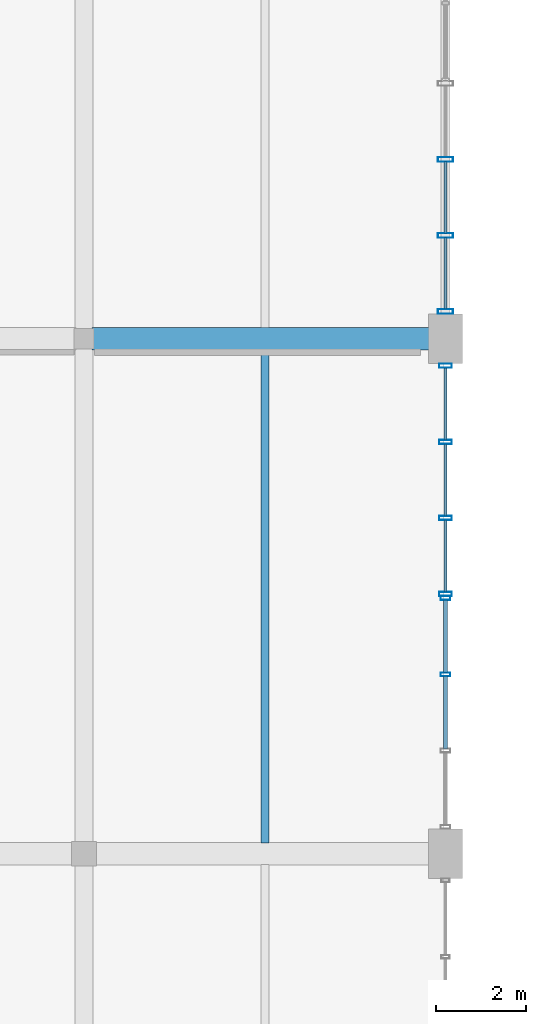
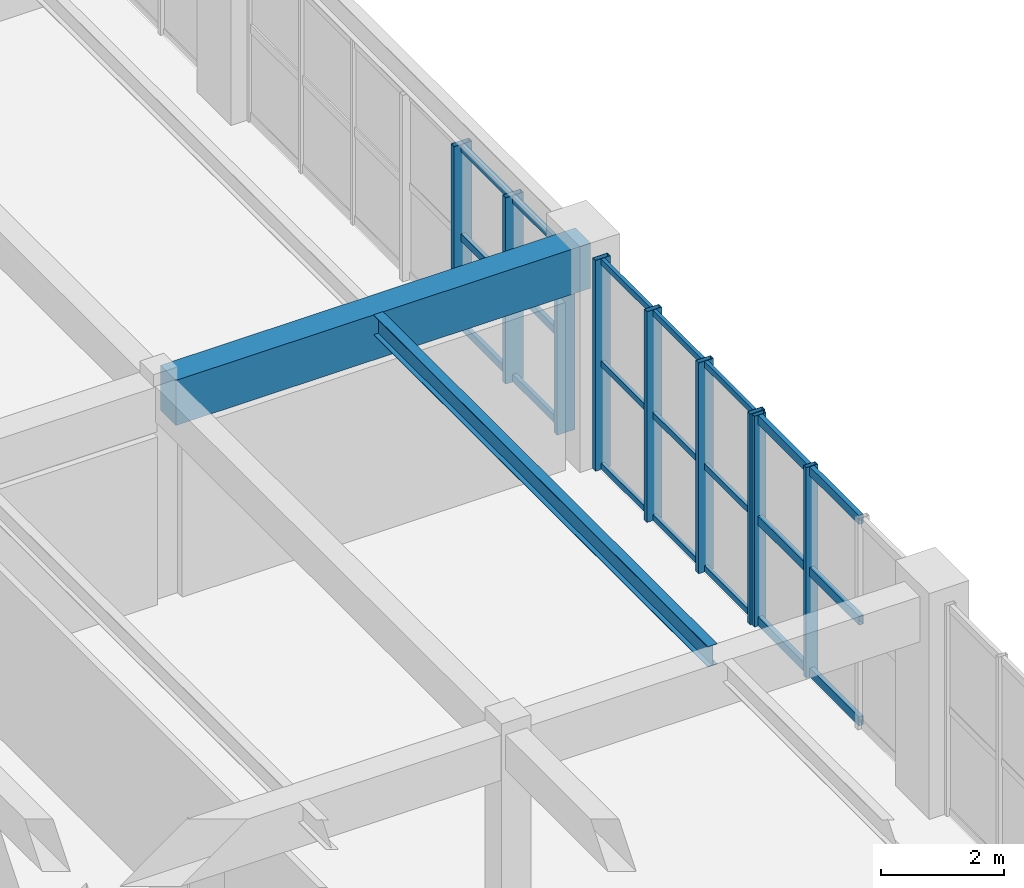
# One storey, part 7 of 48: 30 members, 2 beams, 3 elements without a shape of their own.
"""IFC4 building model written with IfcOpenShell, lengths in metres."""

from ifc_helpers import new_model, si_unit, direction, frame, origin, origin_2d, place, context, subcontext, project, spatial, rectangle, hollow_rectangle, i_section, extrude, material, layer, layer_set, material_profile, profile_set, type_object, element, aggregate, save


model = new_model("IFC4")

# Units and contexts
model_context = context("Model", 3, precision=1e-05, world=origin(), true_north=direction((0.0, 1.0)))
body_context = subcontext(model_context, "Body", "Model", "MODEL_VIEW")
ifc_project = project(units=[si_unit("LENGTHUNIT", "METRE"), si_unit("AREAUNIT", "SQUARE_METRE"), si_unit("VOLUMEUNIT", "CUBIC_METRE"), si_unit("PLANEANGLEUNIT", "RADIAN"), si_unit("MASSUNIT", "GRAM", prefix="KILO"), si_unit("POWERUNIT", "WATT"), si_unit("THERMODYNAMICTEMPERATUREUNIT", "KELVIN")], contexts=[model_context])

# Site, building, storey
site_placement = place(None, origin())
site = spatial("IfcSite", under=ifc_project, at=site_placement, CompositionType="ELEMENT")
building_placement = place(site_placement, origin())
building = spatial("IfcBuilding", under=site, at=building_placement, Name="Kelmbourne Parkland Aquatics Centre", CompositionType="ELEMENT")
storey_placement = place(building_placement, frame((0.0, 0.0, 14.699951171875)))
storey = spatial("IfcBuildingStorey", under=building, at=storey_placement, Name="L03", CompositionType="ELEMENT", Elevation=14.699951171875)

# Beams
ifc_material_1 = material(Name="Concrete C40/50", Category="concrete")
ifc_material_profile_1 = material_profile(ifc_material_1, rectangle(XDim=0.5, YDim=0.89990234375, at=origin_2d()), Name="RC 500x900")
ifc_profile_set_1 = profile_set([ifc_material_profile_1], Name="Concrete C40/50")
beam_type_1 = type_object("IfcBeamType", Name="BM-G03", PredefinedType="BEAM", material=ifc_profile_set_1)
beam_1_placement = place(storey_placement, frame((32.179931640625, 23.60009765625, 3.81005859375), z_axis=(1.0, 0.0, 0.0), x_axis=(0.0, 1.0, 0.0)))
element("IfcBeam", 1, at=beam_1_placement, inside=storey, type_object=beam_type_1, Name="Primary girder E-F Grid 04 (L04)", PredefinedType="BEAM", context=body_context, shape_type="SweptSolid", body=[
    extrude(rectangle(XDim=0.5, YDim=0.89990234375, at=origin_2d()), origin(), (0.0, 0.0, 1.0), 7.820068359375),
])
ifc_material_2 = material(Name="Structural steel AS/NZS 3679.1 Grade 300", Category="steel")
ifc_material_profile_2 = material_profile(ifc_material_2, i_section(OverallWidth=0.177978515625, OverallDepth=0.406005859375, WebThickness=0.0078125, FlangeThickness=0.0126953125, at=origin_2d()), Name="410UB59.7")
ifc_profile_set_2 = profile_set([ifc_material_profile_2], Name="Structural steel AS/NZS 3679.1 Grade 300")
beam_type_2 = type_object("IfcBeamType", Name="BM-J01", PredefinedType="JOIST", material=ifc_profile_set_2)
beam_2_placement = place(storey_placement, frame((36.0, 12.44189453125, 4.05712890625), z_axis=(0.0, 1.0, 0.0), x_axis=(-1.0, 0.0, 0.0)))
element("IfcBeam", 2, at=beam_2_placement, inside=storey, type_object=beam_type_2, Name="Secondary floor joist E-F/03-04 #1 (L04)", PredefinedType="JOIST", context=body_context, shape_type="SweptSolid", body=[
    extrude(i_section(OverallWidth=0.177978515625, OverallDepth=0.406005859375, WebThickness=0.0078125, FlangeThickness=0.0126953125, at=origin_2d()), origin(), (0.0, 0.0, 1.0), 10.916015625),
])

# Curtain wall, members
ifc_material_3 = material(Name="Thermally broken anodised aluminium framing", Category="aluminium")
ifc_layer_1 = layer(ifc_material_3, 0.179931640625)
ifc_layer_set_1 = layer_set([ifc_layer_1], Name="Thermally broken anodised aluminium framing")
curtain_wall_type_1 = type_object("IfcCurtainWallType", Name="CW-17", PredefinedType="NOTDEFINED", material=ifc_layer_set_1)
curtain_wall_1_placement = place(storey_placement, origin())
curtain_wall_1 = element("IfcCurtainWall", 3, at=curtain_wall_1_placement, inside=storey, type_object=curtain_wall_type_1, Name="Facade curtain wall CW-L03-257", PredefinedType="NOTDEFINED")
ifc_material_profile_3 = material_profile(ifc_material_3, hollow_rectangle(XDim=0.0849609375, YDim=0.219970703125, WallThickness=0.0048828125, at=origin_2d()), Name="CW-M 85x220")
ifc_profile_set_3 = profile_set([ifc_material_profile_3], Name="Thermally broken anodised aluminium framing")
member_type_1 = type_object("IfcMemberType", Name="MB-MUL-3", PredefinedType="MULLION", material=ifc_profile_set_3)
member_1_placement = place(storey_placement, frame((40.0, 16.169921875, 0.0), z_axis=(0.0, 0.0, 1.0), x_axis=(0.0, 1.0, 0.0)))
member_1 = element("IfcMember", 4, at=member_1_placement, type_object=member_type_1, Name="CW-L03-257 mullion 2", PredefinedType="MULLION", context=body_context, shape_type="SweptSolid", body=[
    extrude(hollow_rectangle(XDim=0.0849609375, YDim=0.219970703125, WallThickness=0.0048828125, at=origin_2d()), origin(), (0.0, 0.0, 1.0), 4.199951171875),
])
member_2_placement = place(storey_placement, frame((40.0, 17.857421875, 0.0), z_axis=(0.0, 0.0, 1.0), x_axis=(0.0, 1.0, 0.0)))
member_2 = element("IfcMember", 5, at=member_2_placement, type_object=member_type_1, Name="CW-L03-257 mullion 3", PredefinedType="MULLION", context=body_context, shape_type="SweptSolid", body=[
    extrude(hollow_rectangle(XDim=0.0849609375, YDim=0.219970703125, WallThickness=0.0048828125, at=origin_2d()), origin(), (0.0, 0.0, 1.0), 4.199951171875),
])

ifc_layer_2 = layer(ifc_material_3, 0.179931640625)
ifc_layer_set_2 = layer_set([ifc_layer_2], Name="Thermally broken anodised aluminium framing")
curtain_wall_type_2 = type_object("IfcCurtainWallType", Name="CW-18", PredefinedType="NOTDEFINED", material=ifc_layer_set_2)
curtain_wall_2_placement = place(storey_placement, origin())
curtain_wall_2 = element("IfcCurtainWall", 6, at=curtain_wall_2_placement, inside=storey, type_object=curtain_wall_type_2, Name="Facade curtain wall CW-L03-258", PredefinedType="NOTDEFINED")
ifc_material_profile_4 = material_profile(ifc_material_3, hollow_rectangle(XDim=0.094970703125, YDim=0.280029296875, WallThickness=0.005615234375, at=origin_2d()), Name="CW-M 95x280")
ifc_profile_set_4 = profile_set([ifc_material_profile_4], Name="Thermally broken anodised aluminium framing")
member_type_2 = type_object("IfcMemberType", Name="MB-MUL-4", PredefinedType="MULLION", material=ifc_profile_set_4)
member_3_placement = place(storey_placement, frame((40.0, 17.947509765625, 0.0), z_axis=(0.0, 0.0, 1.0), x_axis=(0.0, 1.0, 0.0)))
member_3 = element("IfcMember", 7, at=member_3_placement, type_object=member_type_2, Name="CW-L03-258 mullion 0", PredefinedType="MULLION", context=body_context, shape_type="SweptSolid", body=[
    extrude(hollow_rectangle(XDim=0.094970703125, YDim=0.280029296875, WallThickness=0.005615234375, at=origin_2d()), origin(), (0.0, 0.0, 1.0), 4.199951171875),
])
member_4_placement = place(storey_placement, frame((40.0, 19.6318359375, 0.0), z_axis=(0.0, 0.0, 1.0), x_axis=(0.0, 1.0, 0.0)))
member_4 = element("IfcMember", 8, at=member_4_placement, type_object=member_type_2, Name="CW-L03-258 mullion 1", PredefinedType="MULLION", context=body_context, shape_type="SweptSolid", body=[
    extrude(hollow_rectangle(XDim=0.094970703125, YDim=0.280029296875, WallThickness=0.005615234375, at=origin_2d()), origin(), (0.0, 0.0, 1.0), 4.199951171875),
])
member_5_placement = place(storey_placement, frame((40.0, 21.316162109375, 0.0), z_axis=(0.0, 0.0, 1.0), x_axis=(0.0, 1.0, 0.0)))
member_5 = element("IfcMember", 9, at=member_5_placement, type_object=member_type_2, Name="CW-L03-258 mullion 2", PredefinedType="MULLION", context=body_context, shape_type="SweptSolid", body=[
    extrude(hollow_rectangle(XDim=0.094970703125, YDim=0.280029296875, WallThickness=0.005615234375, at=origin_2d()), origin(), (0.0, 0.0, 1.0), 4.199951171875),
])
member_6_placement = place(storey_placement, frame((40.0, 23.00048828125, 0.0), z_axis=(0.0, 0.0, 1.0), x_axis=(0.0, 1.0, 0.0)))
member_6 = element("IfcMember", 10, at=member_6_placement, type_object=member_type_2, Name="CW-L03-258 mullion 3", PredefinedType="MULLION", context=body_context, shape_type="SweptSolid", body=[
    extrude(hollow_rectangle(XDim=0.094970703125, YDim=0.280029296875, WallThickness=0.005615234375, at=origin_2d()), origin(), (0.0, 0.0, 1.0), 4.199951171875),
])

ifc_layer_3 = layer(ifc_material_3, 0.179931640625)
ifc_layer_set_3 = layer_set([ifc_layer_3], Name="Thermally broken anodised aluminium framing")
curtain_wall_type_3 = type_object("IfcCurtainWallType", Name="CW-19", PredefinedType="NOTDEFINED", material=ifc_layer_set_3)
curtain_wall_3_placement = place(storey_placement, origin())
curtain_wall_3 = element("IfcCurtainWall", 11, at=curtain_wall_3_placement, inside=storey, type_object=curtain_wall_type_3, Name="Facade curtain wall CW-L03-259", PredefinedType="NOTDEFINED")
ifc_material_profile_5 = material_profile(ifc_material_3, hollow_rectangle(XDim=0.10498046875, YDim=0.340087890625, WallThickness=0.006103515625, at=origin_2d()), Name="CW-M 105x340")
ifc_profile_set_5 = profile_set([ifc_material_profile_5], Name="Thermally broken anodised aluminium framing")
member_type_3 = type_object("IfcMemberType", Name="MB-MUL-5", PredefinedType="MULLION", material=ifc_profile_set_5)
member_7_placement = place(storey_placement, frame((40.0, 24.20458984375, 0.0), z_axis=(0.0, 0.0, 1.0), x_axis=(0.0, 1.0, 0.0)))
member_7 = element("IfcMember", 12, at=member_7_placement, type_object=member_type_3, Name="CW-L03-259 mullion 0", PredefinedType="MULLION", context=body_context, shape_type="SweptSolid", body=[
    extrude(hollow_rectangle(XDim=0.10498046875, YDim=0.340087890625, WallThickness=0.006103515625, at=origin_2d()), origin(), (0.0, 0.0, 1.0), 3.712158203125),
])
member_8_placement = place(storey_placement, frame((40.0, 25.885498046875, 0.0), z_axis=(0.0, 0.0, 1.0), x_axis=(0.0, 1.0, 0.0)))
member_8 = element("IfcMember", 13, at=member_8_placement, type_object=member_type_3, Name="CW-L03-259 mullion 1", PredefinedType="MULLION", context=body_context, shape_type="SweptSolid", body=[
    extrude(hollow_rectangle(XDim=0.10498046875, YDim=0.340087890625, WallThickness=0.006103515625, at=origin_2d()), origin(), (0.0, 0.0, 1.0), 3.712158203125),
])
member_9_placement = place(storey_placement, frame((40.0, 27.56640625, 0.0), z_axis=(0.0, 0.0, 1.0), x_axis=(0.0, 1.0, 0.0)))
member_9 = element("IfcMember", 14, at=member_9_placement, type_object=member_type_3, Name="CW-L03-259 mullion 2", PredefinedType="MULLION", context=body_context, shape_type="SweptSolid", body=[
    extrude(hollow_rectangle(XDim=0.10498046875, YDim=0.340087890625, WallThickness=0.006103515625, at=origin_2d()), origin(), (0.0, 0.0, 1.0), 3.712158203125),
])

# Member
ifc_material_profile_6 = material_profile(ifc_material_3, hollow_rectangle(XDim=0.06494140625, YDim=0.1201171875, WallThickness=0.00341796875, at=origin_2d()), Name="CW-T 65x120")
ifc_profile_set_6 = profile_set([ifc_material_profile_6], Name="Thermally broken anodised aluminium framing")
member_type_4 = type_object("IfcMemberType", Name="MB-TRN-1", PredefinedType="USERDEFINED", material=ifc_profile_set_6)
member_10_placement = place(storey_placement, frame((40.0, 17.990966796875, 0.06298828125), z_axis=(0.0, 1.0, 0.0), x_axis=(-1.0, 0.0, 0.0)))
member_10 = element("IfcMember", 15, at=member_10_placement, type_object=member_type_4, Name="CW-L03-258 transom 0-0", ObjectType="TRANSOM", PredefinedType="USERDEFINED", context=body_context, shape_type="SweptSolid", body=[
    extrude(hollow_rectangle(XDim=0.06494140625, YDim=0.1201171875, WallThickness=0.00341796875, at=origin_2d()), origin(), (0.0, 0.0, 1.0), 1.597412109375),
])

member_11_placement = place(storey_placement, frame((40.0, 19.67529296875, 0.06298828125), z_axis=(0.0, 1.0, 0.0), x_axis=(-1.0, 0.0, 0.0)))
member_11 = element("IfcMember", 16, at=member_11_placement, type_object=member_type_4, Name="CW-L03-258 transom 0-1", ObjectType="TRANSOM", PredefinedType="USERDEFINED", context=body_context, shape_type="SweptSolid", body=[
    extrude(hollow_rectangle(XDim=0.06494140625, YDim=0.1201171875, WallThickness=0.00341796875, at=origin_2d()), origin(), (0.0, 0.0, 1.0), 1.597412109375),
])

member_12_placement = place(storey_placement, frame((40.0, 21.359619140625, 0.06298828125), z_axis=(0.0, 1.0, 0.0), x_axis=(-1.0, 0.0, 0.0)))
member_12 = element("IfcMember", 17, at=member_12_placement, type_object=member_type_4, Name="CW-L03-258 transom 0-2", ObjectType="TRANSOM", PredefinedType="USERDEFINED", context=body_context, shape_type="SweptSolid", body=[
    extrude(hollow_rectangle(XDim=0.06494140625, YDim=0.1201171875, WallThickness=0.00341796875, at=origin_2d()), origin(), (0.0, 0.0, 1.0), 1.597412109375),
])

member_13_placement = place(storey_placement, frame((40.0, 17.990966796875, 2.10009765625), z_axis=(0.0, 1.0, 0.0), x_axis=(-1.0, 0.0, 0.0)))
member_13 = element("IfcMember", 18, at=member_13_placement, type_object=member_type_4, Name="CW-L03-258 transom 1-0", ObjectType="TRANSOM", PredefinedType="USERDEFINED", context=body_context, shape_type="SweptSolid", body=[
    extrude(hollow_rectangle(XDim=0.06494140625, YDim=0.1201171875, WallThickness=0.00341796875, at=origin_2d()), origin(), (0.0, 0.0, 1.0), 1.597412109375),
])

member_14_placement = place(storey_placement, frame((40.0, 19.67529296875, 2.10009765625), z_axis=(0.0, 1.0, 0.0), x_axis=(-1.0, 0.0, 0.0)))
member_14 = element("IfcMember", 19, at=member_14_placement, type_object=member_type_4, Name="CW-L03-258 transom 1-1", ObjectType="TRANSOM", PredefinedType="USERDEFINED", context=body_context, shape_type="SweptSolid", body=[
    extrude(hollow_rectangle(XDim=0.06494140625, YDim=0.1201171875, WallThickness=0.00341796875, at=origin_2d()), origin(), (0.0, 0.0, 1.0), 1.597412109375),
])

member_15_placement = place(storey_placement, frame((40.0, 21.359619140625, 2.10009765625), z_axis=(0.0, 1.0, 0.0), x_axis=(-1.0, 0.0, 0.0)))
member_15 = element("IfcMember", 20, at=member_15_placement, type_object=member_type_4, Name="CW-L03-258 transom 1-2", ObjectType="TRANSOM", PredefinedType="USERDEFINED", context=body_context, shape_type="SweptSolid", body=[
    extrude(hollow_rectangle(XDim=0.06494140625, YDim=0.1201171875, WallThickness=0.00341796875, at=origin_2d()), origin(), (0.0, 0.0, 1.0), 1.597412109375),
])

member_16_placement = place(storey_placement, frame((40.0, 17.990966796875, 4.136962890625), z_axis=(0.0, 1.0, 0.0), x_axis=(-1.0, 0.0, 0.0)))
member_16 = element("IfcMember", 21, at=member_16_placement, type_object=member_type_4, Name="CW-L03-258 transom 2-0", ObjectType="TRANSOM", PredefinedType="USERDEFINED", context=body_context, shape_type="SweptSolid", body=[
    extrude(hollow_rectangle(XDim=0.06494140625, YDim=0.1201171875, WallThickness=0.00341796875, at=origin_2d()), origin(), (0.0, 0.0, 1.0), 1.597412109375),
])

member_17_placement = place(storey_placement, frame((40.0, 19.67529296875, 4.136962890625), z_axis=(0.0, 1.0, 0.0), x_axis=(-1.0, 0.0, 0.0)))
member_17 = element("IfcMember", 22, at=member_17_placement, type_object=member_type_4, Name="CW-L03-258 transom 2-1", ObjectType="TRANSOM", PredefinedType="USERDEFINED", context=body_context, shape_type="SweptSolid", body=[
    extrude(hollow_rectangle(XDim=0.06494140625, YDim=0.1201171875, WallThickness=0.00341796875, at=origin_2d()), origin(), (0.0, 0.0, 1.0), 1.597412109375),
])

member_18_placement = place(storey_placement, frame((40.0, 21.359619140625, 4.136962890625), z_axis=(0.0, 1.0, 0.0), x_axis=(-1.0, 0.0, 0.0)))
member_18 = element("IfcMember", 23, at=member_18_placement, type_object=member_type_4, Name="CW-L03-258 transom 2-2", ObjectType="TRANSOM", PredefinedType="USERDEFINED", context=body_context, shape_type="SweptSolid", body=[
    extrude(hollow_rectangle(XDim=0.06494140625, YDim=0.1201171875, WallThickness=0.00341796875, at=origin_2d()), origin(), (0.0, 0.0, 1.0), 1.597412109375),
])

aggregate(curtain_wall_2, [member_3, member_4, member_5, member_6, member_10, member_11, member_12, member_13, member_14, member_15, member_16, member_17, member_18])

ifc_material_profile_7 = material_profile(ifc_material_3, hollow_rectangle(XDim=0.074951171875, YDim=0.14990234375, WallThickness=0.00390625, at=origin_2d()), Name="CW-T 75x150")
ifc_profile_set_7 = profile_set([ifc_material_profile_7], Name="Thermally broken anodised aluminium framing")
member_type_5 = type_object("IfcMemberType", Name="MB-TRN-2", PredefinedType="USERDEFINED", material=ifc_profile_set_7)
member_19_placement = place(storey_placement, frame((40.0, 24.2529296875, 0.078125), z_axis=(0.0, 1.0, 0.0), x_axis=(-1.0, 0.0, 0.0)))
member_19 = element("IfcMember", 24, at=member_19_placement, type_object=member_type_5, Name="CW-L03-259 transom 0-0", ObjectType="TRANSOM", PredefinedType="USERDEFINED", context=body_context, shape_type="SweptSolid", body=[
    extrude(hollow_rectangle(XDim=0.074951171875, YDim=0.14990234375, WallThickness=0.00390625, at=origin_2d()), origin(), (0.0, 0.0, 1.0), 1.583984375),
])

member_20_placement = place(storey_placement, frame((40.0, 25.93408203125, 0.078125), z_axis=(0.0, 1.0, 0.0), x_axis=(-1.0, 0.0, 0.0)))
member_20 = element("IfcMember", 25, at=member_20_placement, type_object=member_type_5, Name="CW-L03-259 transom 0-1", ObjectType="TRANSOM", PredefinedType="USERDEFINED", context=body_context, shape_type="SweptSolid", body=[
    extrude(hollow_rectangle(XDim=0.074951171875, YDim=0.14990234375, WallThickness=0.00390625, at=origin_2d()), origin(), (0.0, 0.0, 1.0), 1.583984375),
])

member_21_placement = place(storey_placement, frame((40.0, 24.2529296875, 1.85595703125), z_axis=(0.0, 1.0, 0.0), x_axis=(-1.0, 0.0, 0.0)))
member_21 = element("IfcMember", 26, at=member_21_placement, type_object=member_type_5, Name="CW-L03-259 transom 1-0", ObjectType="TRANSOM", PredefinedType="USERDEFINED", context=body_context, shape_type="SweptSolid", body=[
    extrude(hollow_rectangle(XDim=0.074951171875, YDim=0.14990234375, WallThickness=0.00390625, at=origin_2d()), origin(), (0.0, 0.0, 1.0), 1.583984375),
])

member_22_placement = place(storey_placement, frame((40.0, 25.93408203125, 1.85595703125), z_axis=(0.0, 1.0, 0.0), x_axis=(-1.0, 0.0, 0.0)))
member_22 = element("IfcMember", 27, at=member_22_placement, type_object=member_type_5, Name="CW-L03-259 transom 1-1", ObjectType="TRANSOM", PredefinedType="USERDEFINED", context=body_context, shape_type="SweptSolid", body=[
    extrude(hollow_rectangle(XDim=0.074951171875, YDim=0.14990234375, WallThickness=0.00390625, at=origin_2d()), origin(), (0.0, 0.0, 1.0), 1.583984375),
])

member_23_placement = place(storey_placement, frame((40.0, 24.2529296875, 3.634033203125), z_axis=(0.0, 1.0, 0.0), x_axis=(-1.0, 0.0, 0.0)))
member_23 = element("IfcMember", 28, at=member_23_placement, type_object=member_type_5, Name="CW-L03-259 transom 2-0", ObjectType="TRANSOM", PredefinedType="USERDEFINED", context=body_context, shape_type="SweptSolid", body=[
    extrude(hollow_rectangle(XDim=0.074951171875, YDim=0.14990234375, WallThickness=0.00390625, at=origin_2d()), origin(), (0.0, 0.0, 1.0), 1.583984375),
])

member_24_placement = place(storey_placement, frame((40.0, 25.93408203125, 3.634033203125), z_axis=(0.0, 1.0, 0.0), x_axis=(-1.0, 0.0, 0.0)))
member_24 = element("IfcMember", 29, at=member_24_placement, type_object=member_type_5, Name="CW-L03-259 transom 2-1", ObjectType="TRANSOM", PredefinedType="USERDEFINED", context=body_context, shape_type="SweptSolid", body=[
    extrude(hollow_rectangle(XDim=0.074951171875, YDim=0.14990234375, WallThickness=0.00390625, at=origin_2d()), origin(), (0.0, 0.0, 1.0), 1.583984375),
])

aggregate(curtain_wall_3, [member_7, member_8, member_9, member_19, member_20, member_21, member_22, member_23, member_24])

ifc_material_profile_8 = material_profile(ifc_material_3, hollow_rectangle(XDim=0.0849609375, YDim=0.179931640625, WallThickness=0.00439453125, at=origin_2d()), Name="CW-T 85x180")
ifc_profile_set_8 = profile_set([ifc_material_profile_8], Name="Thermally broken anodised aluminium framing")
member_type_6 = type_object("IfcMemberType", Name="MB-TRN-3", PredefinedType="USERDEFINED", material=ifc_profile_set_8)
member_25_placement = place(storey_placement, frame((40.0, 14.520751953125, 0.093017578125), z_axis=(0.0, 1.0, 0.0), x_axis=(-1.0, 0.0, 0.0)))
member_25 = element("IfcMember", 30, at=member_25_placement, type_object=member_type_6, Name="CW-L03-257 transom 0-1", ObjectType="TRANSOM", PredefinedType="USERDEFINED", context=body_context, shape_type="SweptSolid", body=[
    extrude(hollow_rectangle(XDim=0.0849609375, YDim=0.179931640625, WallThickness=0.00439453125, at=origin_2d()), origin(), (0.0, 0.0, 1.0), 1.610595703125),
])

member_26_placement = place(storey_placement, frame((40.0, 16.208251953125, 0.093017578125), z_axis=(0.0, 1.0, 0.0), x_axis=(-1.0, 0.0, 0.0)))
member_26 = element("IfcMember", 31, at=member_26_placement, type_object=member_type_6, Name="CW-L03-257 transom 0-2", ObjectType="TRANSOM", PredefinedType="USERDEFINED", context=body_context, shape_type="SweptSolid", body=[
    extrude(hollow_rectangle(XDim=0.0849609375, YDim=0.179931640625, WallThickness=0.00439453125, at=origin_2d()), origin(), (0.0, 0.0, 1.0), 1.61083984375),
])

member_27_placement = place(storey_placement, frame((40.0, 14.520751953125, 2.10009765625), z_axis=(0.0, 1.0, 0.0), x_axis=(-1.0, 0.0, 0.0)))
member_27 = element("IfcMember", 32, at=member_27_placement, type_object=member_type_6, Name="CW-L03-257 transom 1-1", ObjectType="TRANSOM", PredefinedType="USERDEFINED", context=body_context, shape_type="SweptSolid", body=[
    extrude(hollow_rectangle(XDim=0.0849609375, YDim=0.179931640625, WallThickness=0.00439453125, at=origin_2d()), origin(), (0.0, 0.0, 1.0), 1.610595703125),
])

member_28_placement = place(storey_placement, frame((40.0, 16.208251953125, 2.10009765625), z_axis=(0.0, 1.0, 0.0), x_axis=(-1.0, 0.0, 0.0)))
member_28 = element("IfcMember", 33, at=member_28_placement, type_object=member_type_6, Name="CW-L03-257 transom 1-2", ObjectType="TRANSOM", PredefinedType="USERDEFINED", context=body_context, shape_type="SweptSolid", body=[
    extrude(hollow_rectangle(XDim=0.0849609375, YDim=0.179931640625, WallThickness=0.00439453125, at=origin_2d()), origin(), (0.0, 0.0, 1.0), 1.61083984375),
])

member_29_placement = place(storey_placement, frame((40.0, 14.520751953125, 4.10693359375), z_axis=(0.0, 1.0, 0.0), x_axis=(-1.0, 0.0, 0.0)))
member_29 = element("IfcMember", 34, at=member_29_placement, type_object=member_type_6, Name="CW-L03-257 transom 2-1", ObjectType="TRANSOM", PredefinedType="USERDEFINED", context=body_context, shape_type="SweptSolid", body=[
    extrude(hollow_rectangle(XDim=0.0849609375, YDim=0.179931640625, WallThickness=0.00439453125, at=origin_2d()), origin(), (0.0, 0.0, 1.0), 1.610595703125),
])

member_30_placement = place(storey_placement, frame((40.0, 16.208251953125, 4.10693359375), z_axis=(0.0, 1.0, 0.0), x_axis=(-1.0, 0.0, 0.0)))
member_30 = element("IfcMember", 35, at=member_30_placement, type_object=member_type_6, Name="CW-L03-257 transom 2-2", ObjectType="TRANSOM", PredefinedType="USERDEFINED", context=body_context, shape_type="SweptSolid", body=[
    extrude(hollow_rectangle(XDim=0.0849609375, YDim=0.179931640625, WallThickness=0.00439453125, at=origin_2d()), origin(), (0.0, 0.0, 1.0), 1.61083984375),
])

aggregate(curtain_wall_1, [member_1, member_2, member_25, member_26, member_27, member_28, member_29, member_30])

save(model, "model.ifc")
